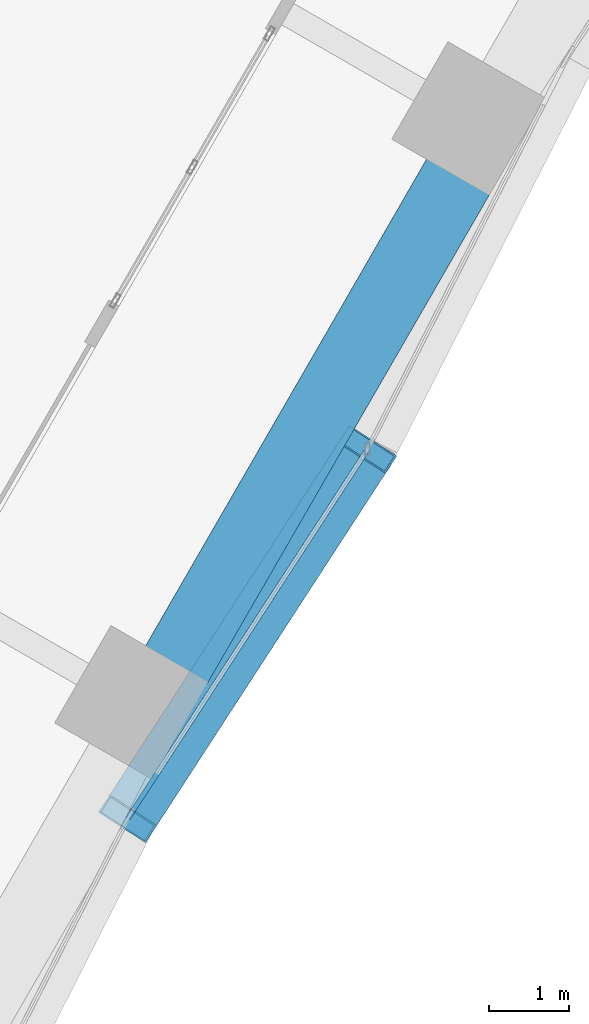
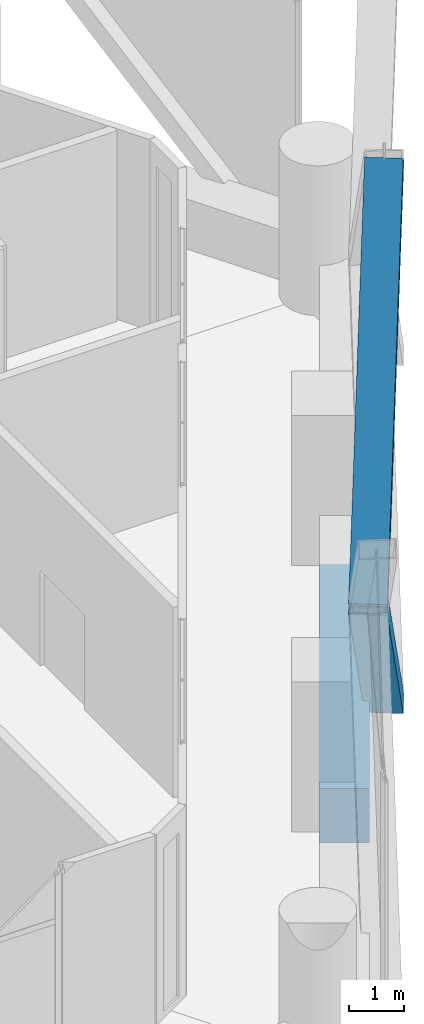
# One storey, part 18 of 46: 3 members, 1 beam, 1 element without a shape of its own.
"""IFC4 building model written with IfcOpenShell, lengths in metres."""

from ifc_helpers import new_model, si_unit, direction, frame, origin, origin_2d, place, context, subcontext, project, spatial, rectangle, hollow_rectangle, extrude, material, material_profile, profile_set, type_object, element, aggregate, save


model = new_model("IFC4")

# Units and contexts
model_context = context("Model", 3, precision=1e-05, world=origin(), true_north=direction((0.0, 1.0)))
body_context = subcontext(model_context, "Body", "Model", "MODEL_VIEW")
ifc_project = project(units=[si_unit("LENGTHUNIT", "METRE"), si_unit("AREAUNIT", "SQUARE_METRE"), si_unit("VOLUMEUNIT", "CUBIC_METRE"), si_unit("PLANEANGLEUNIT", "RADIAN"), si_unit("MASSUNIT", "GRAM", prefix="KILO")], contexts=[model_context])

# Site, building, storey
site_placement = place(None, origin())
site = spatial("IfcSite", under=ifc_project, at=site_placement, CompositionType="ELEMENT")
building_placement = place(site_placement, origin())
building = spatial("IfcBuilding", under=site, at=building_placement, Name="Ostrander Bayou Hotel Tower", CompositionType="ELEMENT")
storey_placement = place(building_placement, frame((0.0, 0.0, 23.5)))
storey = spatial("IfcBuildingStorey", under=building, at=storey_placement, Name="L05", CompositionType="ELEMENT", Elevation=23.5)

# Curtain wall, member
ifc_material_1 = material(Name="Aluminium and clear glass", Category="aluminium")
curtain_wall_type = type_object("IfcCurtainWallType", Name="CW-LAT lattice glazing", PredefinedType="NOTDEFINED", material=ifc_material_1)
curtain_wall_placement = place(storey_placement, origin())
curtain_wall = element("IfcCurtainWall", 1, at=curtain_wall_placement, inside=storey, type_object=curtain_wall_type, Name="CW-LAT L05 SE 2", PredefinedType="NOTDEFINED")
ifc_material_2 = material(Name="Aluminium", Category="aluminium")
ifc_material_profile_1 = material_profile(ifc_material_2, hollow_rectangle(XDim=0.06005859375, YDim=0.1201171875, WallThickness=0.00390625, at=origin_2d()))
ifc_profile_set_1 = profile_set([ifc_material_profile_1], Name="Aluminium")
member_type_1 = type_object("IfcMemberType", Name="CW-LA transom 60 x 120 mm", PredefinedType="USERDEFINED", material=ifc_profile_set_1)
member_placement = place(storey_placement, frame((19.11328125, -11.034912109375, 5.39990234375), z_axis=(-0.544651812438, -0.838662270052, 0.0), x_axis=(0.838662270052, -0.544651812438, 0.0)))
member = element("IfcMember", 2, at=member_placement, type_object=member_type_1, Name="CW-LAT transom 6", ObjectType="TRANSOM", PredefinedType="USERDEFINED", context=body_context, shape_type="SweptSolid", body=[
    extrude(hollow_rectangle(XDim=0.06005859375, YDim=0.1201171875, WallThickness=0.00390625, at=origin_2d()), origin(), (0.0, 0.0, 1.0), 5.48291015625),
])
aggregate(curtain_wall, [member])

# Members
ifc_material_3 = material(Name="Steel ASTM A572 Gr 50", Category="steel")
ifc_material_profile_2 = material_profile(ifc_material_3, hollow_rectangle(XDim=0.699951171875, YDim=0.35009765625, WallThickness=0.02490234375, at=origin_2d()))
ifc_profile_set_2 = profile_set([ifc_material_profile_2], Name="Steel ASTM A572 Gr 50")
member_type_2 = type_object("IfcMemberType", Name="LT1 lattice member box 700 x 350 x 25 mm", PredefinedType="BRACE", material=ifc_profile_set_2)
for number, where, z_axis, x_axis, name in (
    (3, (16.126953125, -15.63330078125, 5.39990234375), (0.367415336606, 0.5657511335, -0.738194842416), (-0.838662270052, 0.544651812438, 0.0), "LT1 L05 SE 3"),
    (4, (16.126953125, -15.63330078125, 5.39990234375), (0.367415336606, 0.5657511335, 0.738194842416), (-0.838662270052, 0.544651812438, 0.0), "LT1 L05 SE 4"),
):
    element("IfcMember", number, at=place(storey_placement, frame(where, z_axis=z_axis, x_axis=x_axis)), inside=storey, type_object=member_type_2, Name=name, PredefinedType="BRACE", context=body_context, shape_type="SweptSolid", body=[
        extrude(hollow_rectangle(XDim=0.699951171875, YDim=0.35009765625, WallThickness=0.02490234375, at=origin_2d()), origin(), (0.0, 0.0, 1.0), 8.1279296875),
    ])

# Beam
ifc_material_4 = material(Name="Concrete f'c 70 MPa", Category="concrete")
ifc_material_profile_3 = material_profile(ifc_material_4, rectangle(XDim=0.89990234375, YDim=1.199951171875, at=origin_2d()))
ifc_profile_set_3 = profile_set([ifc_material_profile_3], Name="Concrete f'c 70 MPa")
beam_type = type_object("IfcBeamType", Name="SP1 spandrel beam 900 x 1200 mm f'c 70 MPa", PredefinedType="SPANDREL", material=ifc_profile_set_3)
beam_placement = place(storey_placement, frame((16.726806640625, -13.72802734375, -0.60009765625), z_axis=(0.499997206141, 0.866027016814, 0.0), x_axis=(-0.866027016814, 0.499997206141, 0.0)))
element("IfcBeam", 5, at=beam_placement, inside=storey, type_object=beam_type, Name="SP1 L05 SE-2", PredefinedType="SPANDREL", context=body_context, shape_type="SweptSolid", body=[
    extrude(rectangle(XDim=0.89990234375, YDim=1.199951171875, at=origin_2d()), origin(), (0.0, 0.0, 1.0), 7.05078125),
])

save(model, "model.ifc")
